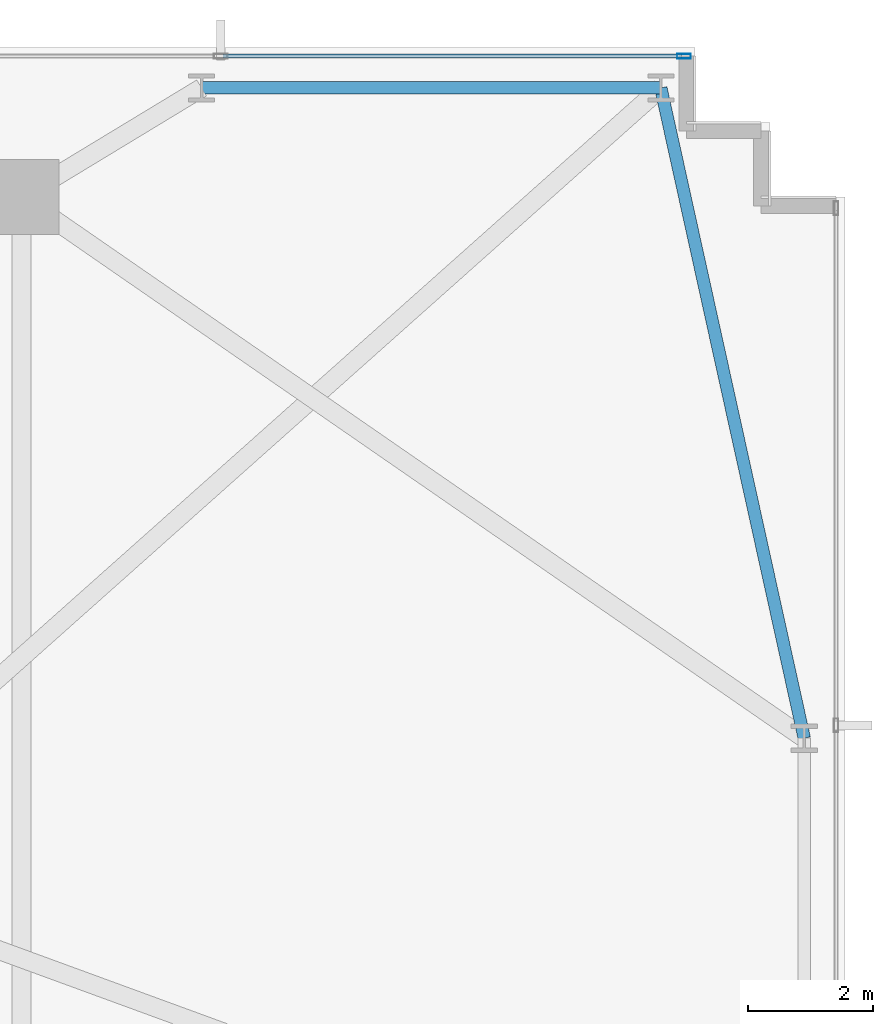
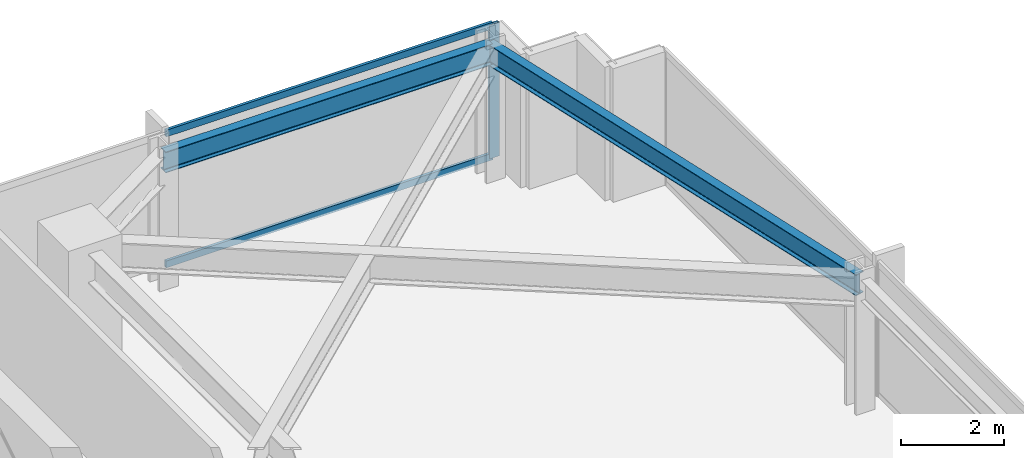
# One storey, part 21 of 33: 3 members, 2 beams, 1 element without a shape of its own.
"""IFC4 building model written with IfcOpenShell, lengths in metres."""

from ifc_helpers import new_model, si_unit, direction, frame, origin, origin_2d, place, context, subcontext, project, spatial, hollow_rectangle, i_section, extrude, material, material_profile, profile_set, type_object, element, aggregate, save


model = new_model("IFC4")

# Units and contexts
model_context = context("Model", 3, precision=1e-05, world=origin(), true_north=direction((0.0, 1.0)))
body_context = subcontext(model_context, "Body", "Model", "MODEL_VIEW")
ifc_project = project(units=[si_unit("LENGTHUNIT", "METRE"), si_unit("AREAUNIT", "SQUARE_METRE"), si_unit("VOLUMEUNIT", "CUBIC_METRE"), si_unit("PLANEANGLEUNIT", "RADIAN"), si_unit("MASSUNIT", "GRAM", prefix="KILO")], contexts=[model_context])

# Site, building, storey
site_placement = place(None, origin())
site = spatial("IfcSite", under=ifc_project, at=site_placement, CompositionType="ELEMENT")
building_placement = place(site_placement, origin())
building = spatial("IfcBuilding", under=site, at=building_placement, Name="Yelkora Congress Tower", CompositionType="ELEMENT")
storey_placement = place(building_placement, frame((0.0, 0.0, 47.39990234375)))
storey = spatial("IfcBuildingStorey", under=building, at=storey_placement, Name="L11", CompositionType="ELEMENT", Elevation=47.39990234375)

# Beams
ifc_material_1 = material(Name="Steel S355J2", Category="steel")
ifc_material_profile_1 = material_profile(ifc_material_1, i_section(OverallWidth=0.199951171875, OverallDepth=0.5, WebThickness=0.01025390625, FlangeThickness=0.01611328125, FilletRadius=0.02099609375, at=origin_2d()), Name="IPE 500")
ifc_profile_set_1 = profile_set([ifc_material_profile_1], Name="Steel S355J2")
beam_type = type_object("IfcBeamType", Name="BM-SPAN-IPE500", PredefinedType="SPANDREL", material=ifc_profile_set_1)
beam_1_placement = place(storey_placement, frame((70.14990234375, 37.52490234375, 2.93017578125), z_axis=(-0.215424087425, 0.97652058993, 0.0), x_axis=(-0.97652058993, -0.215424087425, 0.0)))
element("IfcBeam", 1, at=beam_1_placement, inside=storey, type_object=beam_type, Name="L11 Perimeter Beam 13", PredefinedType="SPANDREL", context=body_context, shape_type="SweptSolid", body=[
    extrude(i_section(OverallWidth=0.199951171875, OverallDepth=0.5, WebThickness=0.01025390625, FlangeThickness=0.01611328125, FilletRadius=0.02099609375, at=origin_2d()), origin(), (0.0, 0.0, 1.0), 10.67578125),
])
beam_2_placement = place(storey_placement, frame((67.85009765625, 47.949951171875, 2.93017578125), z_axis=(-1.0, 0.0, 0.0), x_axis=(0.0, -1.0, 0.0)))
element("IfcBeam", 2, at=beam_2_placement, inside=storey, type_object=beam_type, Name="L11 Perimeter Beam 14", PredefinedType="SPANDREL", context=body_context, shape_type="SweptSolid", body=[
    extrude(i_section(OverallWidth=0.199951171875, OverallDepth=0.5, WebThickness=0.01025390625, FlangeThickness=0.01611328125, FilletRadius=0.02099609375, at=origin_2d()), origin(), (0.0, 0.0, 1.0), 7.362548828125),
])

# Curtain wall, members
ifc_material_2 = material(Name="Anodised aluminium and insulated glass", Category="aluminium")
curtain_wall_type = type_object("IfcCurtainWallType", Name="CW-SYS-B1", PredefinedType="NOTDEFINED", material=ifc_material_2)
curtain_wall_placement = place(storey_placement, origin())
curtain_wall = element("IfcCurtainWall", 3, at=curtain_wall_placement, inside=storey, type_object=curtain_wall_type, Name="L11 Unitised Curtain Wall 10", PredefinedType="NOTDEFINED")
ifc_material_3 = material(Name="Anodised aluminium 6063-T6", Category="aluminium")
ifc_material_profile_2 = material_profile(ifc_material_3, hollow_rectangle(XDim=0.074951171875, YDim=0.219970703125, WallThickness=0.0048828125, at=origin_2d()), Name="ALU 75x220x5")
ifc_profile_set_2 = profile_set([ifc_material_profile_2], Name="Anodised aluminium 6063-T6")
member_type_1 = type_object("IfcMemberType", Name="MEM-ML-B1", PredefinedType="MULLION", material=ifc_profile_set_2)
member_1_placement = place(storey_placement, frame((68.222412109375, 48.4599609375, 0.0), z_axis=(0.0, 0.0, 1.0), x_axis=(0.0, 1.0, 0.0)))
member_1 = element("IfcMember", 4, at=member_1_placement, type_object=member_type_1, Name="CW-B1 mullion 9", PredefinedType="MULLION", context=body_context, shape_type="SweptSolid", body=[
    extrude(hollow_rectangle(XDim=0.074951171875, YDim=0.219970703125, WallThickness=0.0048828125, at=origin_2d()), origin(), (0.0, 0.0, 1.0), 3.18017578125),
])
ifc_material_profile_3 = material_profile(ifc_material_3, hollow_rectangle(XDim=0.06494140625, YDim=0.159912109375, WallThickness=0.00390625, at=origin_2d()), Name="ALU 65x160x4")
ifc_profile_set_3 = profile_set([ifc_material_profile_3], Name="Anodised aluminium 6063-T6")
member_type_2 = type_object("IfcMemberType", Name="MEM-TR-B1", PredefinedType="USERDEFINED", material=ifc_profile_set_3)
member_2_placement = place(storey_placement, frame((60.83251953125, 48.4599609375, 0.03271484375), z_axis=(1.0, 0.0, 0.0), x_axis=(0.0, 1.0, 0.0)))
member_2 = element("IfcMember", 5, at=member_2_placement, type_object=member_type_2, Name="CW-B1 transom 8.1", ObjectType="TRANSOM", PredefinedType="USERDEFINED", context=body_context, shape_type="SweptSolid", body=[
    extrude(hollow_rectangle(XDim=0.06494140625, YDim=0.159912109375, WallThickness=0.00390625, at=origin_2d()), origin(), (0.0, 0.0, 1.0), 7.3525390625),
])
member_3_placement = place(storey_placement, frame((60.83251953125, 48.4599609375, 3.147705078125), z_axis=(1.0, 0.0, 0.0), x_axis=(0.0, 1.0, 0.0)))
member_3 = element("IfcMember", 6, at=member_3_placement, type_object=member_type_2, Name="CW-B1 transom 8.2", ObjectType="TRANSOM", PredefinedType="USERDEFINED", context=body_context, shape_type="SweptSolid", body=[
    extrude(hollow_rectangle(XDim=0.06494140625, YDim=0.159912109375, WallThickness=0.00390625, at=origin_2d()), origin(), (0.0, 0.0, 1.0), 7.3525390625),
])
aggregate(curtain_wall, [member_1, member_2, member_3])

save(model, "model.ifc")
